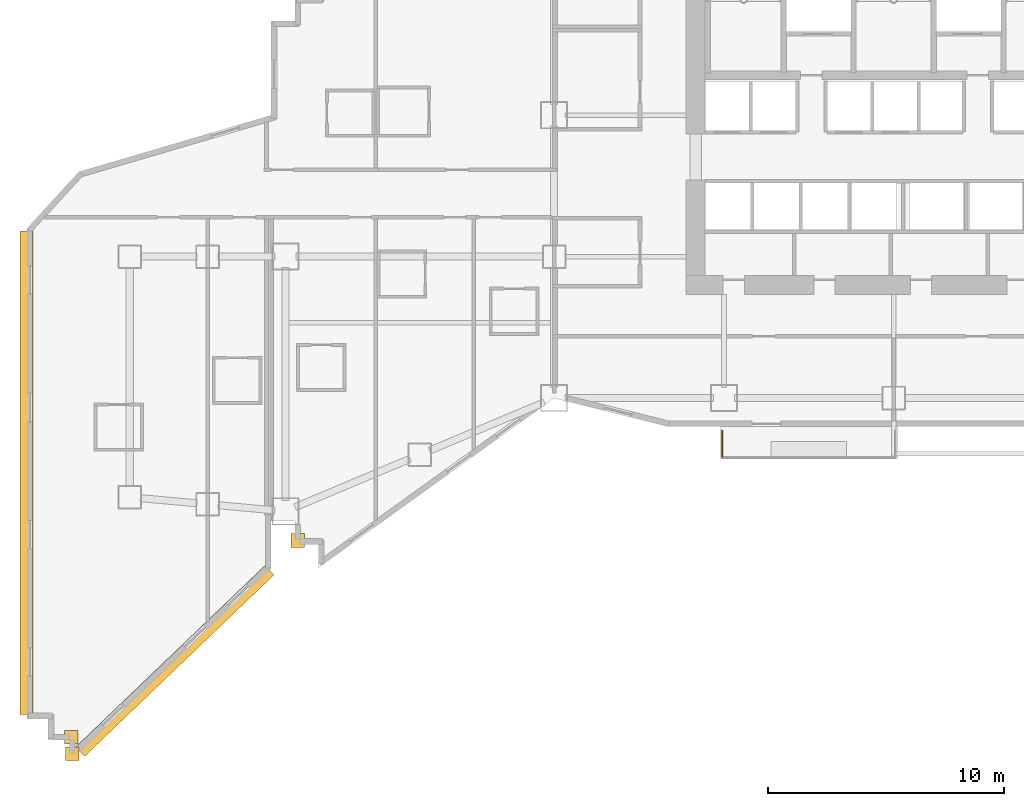
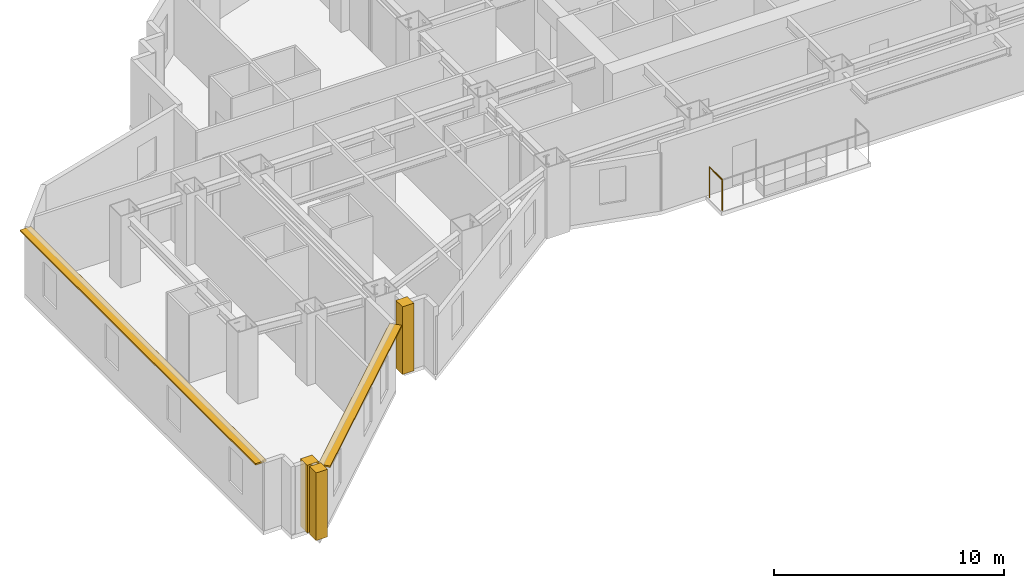
# One storey, part 13 of 17: 3 coverings, 2 shading devices, 1 railing.
"""IFC4 building model written with IfcOpenShell, lengths in metres."""

from ifc_helpers import new_model, si_unit, direction, frame, origin, origin_2d, place, context, subcontext, project, spatial, rectangle, circle, extrude, material, layer, layer_set, type_object, element, save


model = new_model("IFC4")

# Units and contexts
model_context = context("Model", 3, precision=1e-05, world=origin(), true_north=direction((0.0, 1.0)))
body_context = subcontext(model_context, "Body", "Model", "MODEL_VIEW")
ifc_project = project(units=[si_unit("LENGTHUNIT", "METRE"), si_unit("AREAUNIT", "SQUARE_METRE"), si_unit("VOLUMEUNIT", "CUBIC_METRE"), si_unit("PLANEANGLEUNIT", "RADIAN"), si_unit("MASSUNIT", "GRAM", prefix="KILO")], contexts=[model_context])

# Site, building, storey
site_placement = place(None, origin())
site = spatial("IfcSite", under=ifc_project, at=site_placement, CompositionType="ELEMENT")
building_placement = place(site_placement, origin())
building = spatial("IfcBuilding", under=site, at=building_placement, Name="Haolan Belvedere Tower", CompositionType="ELEMENT")
storey_placement = place(building_placement, frame((0.0, 0.0, 55.199951171875)))
storey = spatial("IfcBuildingStorey", under=building, at=storey_placement, Name="L13", CompositionType="ELEMENT", Elevation=55.199951171875)

# Coverings
ifc_material_1 = material(Name="Pale champagne-silver anodised aluminium rainscreen cladding", Category="aluminium")
ifc_layer_1 = layer(ifc_material_1, 0.034912109375, Name="Pale champagne-silver anodised aluminium rainscreen cladding")
ifc_layer_set_1 = layer_set([ifc_layer_1], Name="Pale champagne-silver anodised aluminium rainscreen cladding")
covering_type = type_object("IfcCoveringType", Name="COV-CLAD-35", PredefinedType="CLADDING", material=ifc_layer_set_1)
for number, where, z_axis, x_axis, name in (
    (1, (3.517578125, 7.218017578125, 0.0), (0.0, 0.0, 1.0), (1.0, 0.0, 0.0), "L13 pale-metal serrated corner cladding trim 1"),
    (2, (3.56005859375, 6.521728515625, 0.0), (0.0, 0.0, 1.0), (1.0, 0.0, 0.0), "L13 pale-metal serrated corner cladding trim 2"),
    (3, (13.1201171875, 15.5625, 0.0), (0.0, 0.0, 1.0), (1.0, 0.0, 0.0), "L13 pale-metal serrated corner cladding trim 3"),
):
    element("IfcCovering", number, at=place(storey_placement, frame(where, z_axis=z_axis, x_axis=x_axis)), inside=storey, type_object=covering_type, Name=name, PredefinedType="CLADDING", context=body_context, shape_type="SweptSolid", body=[
        extrude(rectangle(XDim=0.580078125, YDim=0.580078125, at=origin_2d()), origin(), (0.0, 0.0, 1.0), 3.60009765625),
    ])

# Railing
ifc_material_2 = material(Name="Anodised aluminium and laminated glass balustrade", Category="aluminium")
railing_type = type_object("IfcRailingType", Name="RL-TER-BAL-1150", PredefinedType="BALUSTRADE", material=ifc_material_2)
railing_placement = place(storey_placement, frame((31.1298828125, 19.10009765625, 0.0)))
element("IfcRailing", 4, at=railing_placement, inside=storey, type_object=railing_type, Name="L13 outdoor perimeter balustrade BAL-L13-1-1", PredefinedType="BALUSTRADE", context=body_context, shape_type="SweptSolid", body=[
    extrude(circle(Radius=0.02392578125, at=origin_2d()), frame((0.0, 0.0, 1.6259765625), z_axis=(0.0, 1.0, 0.0), x_axis=(-1.0, 0.0, 0.0)), (0.0, 0.0, 1.0), 1.119873046875),
    extrude(circle(Radius=0.02099609375, at=origin_2d()), origin(), (0.0, 0.0, 1.0), 1.601806640625),
    extrude(circle(Radius=0.02099609375, at=origin_2d()), frame((0.0, 1.119873046875, 0.0)), (0.0, 0.0, 1.0), 1.601806640625),
])

# Shading devices
ifc_material_3 = material(Name="Anodised champagne-silver aluminium 6063-T6", Category="aluminium")
ifc_layer_2 = layer(ifc_material_3, 0.080078125, Name="Anodised champagne-silver aluminium 6063-T6")
ifc_layer_set_2 = layer_set([ifc_layer_2], Name="Anodised champagne-silver aluminium 6063-T6")
shading_device_type = type_object("IfcShadingDeviceType", Name="SHD-SUN-550", PredefinedType="USERDEFINED", material=ifc_layer_set_2)
shading_device_1_placement = place(storey_placement, frame((7.91064453125, 10.4541015625, 3.5), z_axis=(0.0, 0.0, 1.0), x_axis=(0.722038014015, 0.691853384986, 0.0)))
element("IfcShadingDevice", 5, at=shading_device_1_placement, inside=storey, type_object=shading_device_type, Name="L13 pale-metal horizontal SUNSHADE band 5.1", ObjectType="SUNSHADE", PredefinedType="USERDEFINED", context=body_context, shape_type="SweptSolid", body=[
    extrude(rectangle(XDim=11.1328125, YDim=0.550048828125, at=origin_2d()), origin(), (0.0, 0.0, 1.0), 0.080078125),
])
shading_device_2_placement = place(storey_placement, frame((1.6201171875, 18.435546875, 3.5), z_axis=(0.0, 0.0, 1.0), x_axis=(0.0, -1.0, 0.0)))
element("IfcShadingDevice", 6, at=shading_device_2_placement, inside=storey, type_object=shading_device_type, Name="L13 pale-metal horizontal SUNSHADE band 59.1", ObjectType="SUNSHADE", PredefinedType="USERDEFINED", context=body_context, shape_type="SweptSolid", body=[
    extrude(rectangle(XDim=20.50537109375, YDim=0.550048828125, at=origin_2d()), origin(), (0.0, 0.0, 1.0), 0.080078125),
])

save(model, "model.ifc")
